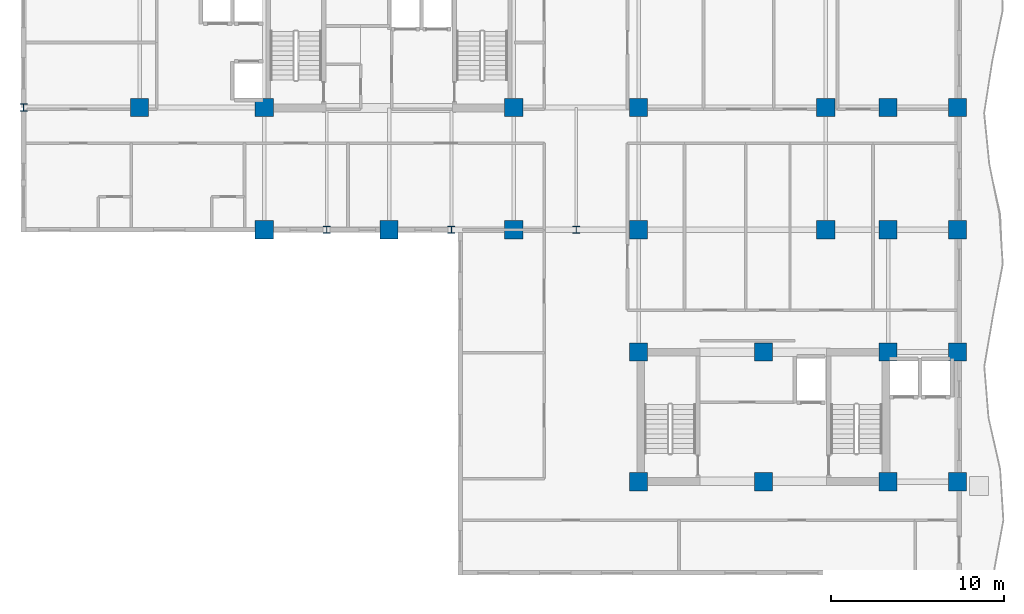
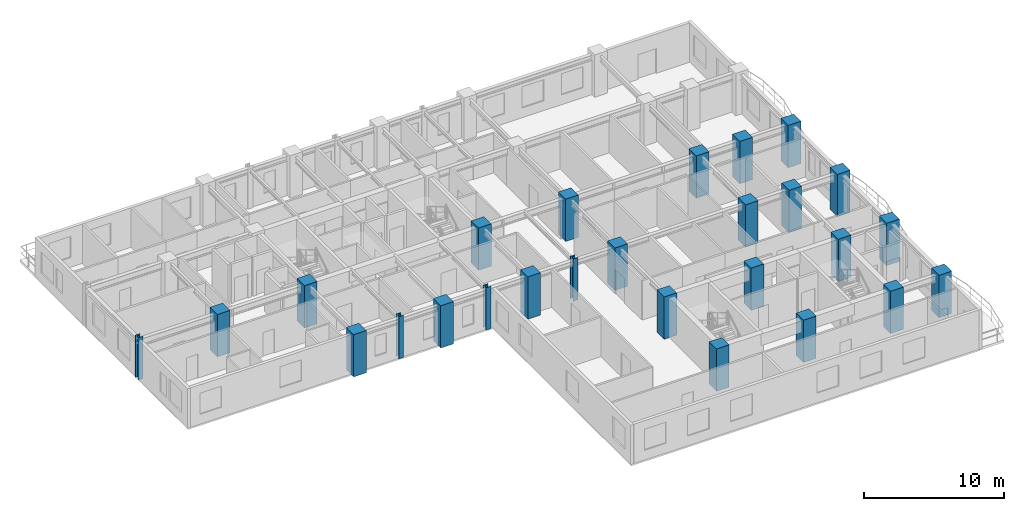
# One storey, part 1 of 12: 26 columns.
"""IFC4 building model written with IfcOpenShell, lengths in metres."""

from ifc_helpers import new_model, si_unit, direction, frame, origin, origin_2d, place, context, subcontext, project, spatial, rectangle, i_section, extrude, source, transform, mapped, material, material_profile, profile_set, type_object, element, save


model = new_model("IFC4")

# Units and contexts
model_context = context("Model", 3, precision=1e-05, world=origin(), true_north=direction((0.0, 1.0)))
body_context = subcontext(model_context, "Body", "Model", "MODEL_VIEW")
ifc_project = project(units=[si_unit("LENGTHUNIT", "METRE"), si_unit("AREAUNIT", "SQUARE_METRE"), si_unit("VOLUMEUNIT", "CUBIC_METRE"), si_unit("PLANEANGLEUNIT", "RADIAN"), si_unit("MASSUNIT", "GRAM", prefix="KILO")], contexts=[model_context])

# Site, building, storey
site_placement = place(None, origin())
site = spatial("IfcSite", under=ifc_project, at=site_placement, CompositionType="ELEMENT")
building_placement = place(site_placement, origin())
building = spatial("IfcBuilding", under=site, at=building_placement, Name="Kaliganga Portal Commons", CompositionType="ELEMENT")
storey_placement = place(building_placement, frame((0.0, 0.0, 147.60009765625)))
storey = spatial("IfcBuildingStorey", under=building, at=storey_placement, Name="L37", CompositionType="ELEMENT", Elevation=147.60009765625)

# Columns
ifc_material_1 = material(Name="Concrete C60/75", Category="concrete")
ifc_material_profile_1 = material_profile(ifc_material_1, rectangle(XDim=1.050048828125, YDim=1.050048828125, at=origin_2d()), Name="RC 1050x1050")
ifc_profile_set_1 = profile_set([ifc_material_profile_1], Name="Concrete C60/75")
column_type_1 = type_object("IfcColumnType", Name="COL-MEGA-Z3", PredefinedType="COLUMN", material=ifc_profile_set_1)
shared_shape_1 = source(origin(), body_context, "Body", "SweptSolid", [
    extrude(rectangle(XDim=1.050048828125, YDim=1.050048828125, at=origin_2d()), origin(), (0.0, 0.0, 1.0), 3.699951171875),
])
for number, where, z_axis, x_axis, name in (
    (1, (7.199951171875, 28.64990234375, 0.0), (0.0, 0.0, 1.0), (1.0, 0.0, 0.0), "Column MC-04 L37"),
    (2, (14.39990234375, 21.60009765625, 0.0), (0.0, 0.0, 1.0), (1.0, 0.0, 0.0), "Column MC-04 L37"),
    (3, (14.39990234375, 28.64990234375, 0.0), (0.0, 0.0, 1.0), (1.0, 0.0, 0.0), "Column MC-04 L37"),
    (4, (21.60009765625, 21.60009765625, 0.0), (0.0, 0.0, 1.0), (1.0, 0.0, 0.0), "Column MC-04 L37"),
    (5, (28.800048828125, 21.60009765625, 0.0), (0.0, 0.0, 1.0), (1.0, 0.0, 0.0), "Column MC-04 L37"),
    (6, (28.800048828125, 28.64990234375, 0.0), (0.0, 0.0, 1.0), (1.0, 0.0, 0.0), "Column MC-04 L37"),
    (7, (36.0, 21.60009765625, 0.0), (0.0, 0.0, 1.0), (1.0, 0.0, 0.0), "Column MC-04 L37"),
    (8, (36.0, 28.64990234375, 0.0), (0.0, 0.0, 1.0), (1.0, 0.0, 0.0), "Column MC-04 L37"),
    (9, (46.800048828125, 21.60009765625, 0.0), (0.0, 0.0, 1.0), (1.0, 0.0, 0.0), "Column MC-04 L37"),
    (10, (46.800048828125, 28.64990234375, 0.0), (0.0, 0.0, 1.0), (1.0, 0.0, 0.0), "Column MC-04 L37"),
    (11, (36.0, 7.050048828125, 0.0), (0.0, 0.0, 1.0), (1.0, 0.0, 0.0), "Column MC-04 L37"),
    (12, (36.0, 14.550048828125, 0.0), (0.0, 0.0, 1.0), (1.0, 0.0, 0.0), "Column MC-04 L37"),
    (13, (43.199951171875, 7.050048828125, 0.0), (0.0, 0.0, 1.0), (1.0, 0.0, 0.0), "Column MC-04 L37"),
    (14, (43.199951171875, 14.550048828125, 0.0), (0.0, 0.0, 1.0), (1.0, 0.0, 0.0), "Column MC-04 L37"),
    (15, (50.39990234375, 7.050048828125, 0.0), (0.0, 0.0, 1.0), (1.0, 0.0, 0.0), "Column MC-04 L37"),
    (16, (50.39990234375, 14.550048828125, 0.0), (0.0, 0.0, 1.0), (1.0, 0.0, 0.0), "Column MC-04 L37"),
    (17, (50.39990234375, 21.60009765625, 0.0), (0.0, 0.0, 1.0), (1.0, 0.0, 0.0), "Column MC-04 L37"),
    (18, (50.39990234375, 28.64990234375, 0.0), (0.0, 0.0, 1.0), (1.0, 0.0, 0.0), "Column MC-04 L37"),
    (19, (54.39990234375, 7.050048828125, 0.0), (0.0, 0.0, 1.0), (1.0, 0.0, 0.0), "Column MC-04 L37"),
    (20, (54.39990234375, 14.550048828125, 0.0), (0.0, 0.0, 1.0), (1.0, 0.0, 0.0), "Column MC-04 L37"),
    (21, (54.39990234375, 21.60009765625, 0.0), (0.0, 0.0, 1.0), (1.0, 0.0, 0.0), "Column MC-04 L37"),
    (22, (54.39990234375, 28.64990234375, 0.0), (0.0, 0.0, 1.0), (1.0, 0.0, 0.0), "Column MC-04 L37"),
):
    element("IfcColumn", number, at=place(storey_placement, frame(where, z_axis=z_axis, x_axis=x_axis)), inside=storey, type_object=column_type_1, Name=name, PredefinedType="COLUMN", context=body_context, shape_type="MappedRepresentation", body=[
        mapped(shared_shape_1, transform((0.0, 0.0, 0.0), x_axis=(1.0, 0.0, 0.0), y_axis=(0.0, 1.0, 0.0), z_axis=(0.0, 0.0, 1.0), scale=1.0)),
    ])
ifc_material_2 = material(Name="Structural steel S460M", Category="steel")
ifc_material_profile_2 = material_profile(ifc_material_2, i_section(OverallWidth=0.404052734375, OverallDepth=0.4140625, WebThickness=0.0205078125, FlangeThickness=0.028076171875, FilletRadius=0.014892578125, at=origin_2d()), Name="HD 400x347")
ifc_profile_set_2 = profile_set([ifc_material_profile_2], Name="Structural steel S460M wide-flange")
column_type_2 = type_object("IfcColumnType", Name="COL-TUBE-B3", PredefinedType="COLUMN", material=ifc_profile_set_2)
shared_shape_2 = source(origin(), body_context, "Body", "SweptSolid", [
    extrude(i_section(OverallWidth=0.404052734375, OverallDepth=0.4140625, WebThickness=0.0205078125, FlangeThickness=0.028076171875, FilletRadius=0.014892578125, at=origin_2d()), origin(), (0.0, 0.0, 1.0), 3.699951171875),
])
for number, where, z_axis, x_axis, name in (
    (23, (0.5, 28.64990234375, 0.0), (0.0, 0.0, 1.0), (1.0, 0.0, 0.0), "Column TC-03 L37"),
    (24, (18.0, 21.60009765625, 0.0), (0.0, 0.0, 1.0), (1.0, 0.0, 0.0), "Column TC-03 L37"),
    (25, (25.199951171875, 21.60009765625, 0.0), (0.0, 0.0, 1.0), (1.0, 0.0, 0.0), "Column TC-03 L37"),
    (26, (32.39990234375, 21.60009765625, 0.0), (0.0, 0.0, 1.0), (1.0, 0.0, 0.0), "Column TC-03 L37"),
):
    element("IfcColumn", number, at=place(storey_placement, frame(where, z_axis=z_axis, x_axis=x_axis)), inside=storey, type_object=column_type_2, Name=name, PredefinedType="COLUMN", context=body_context, shape_type="MappedRepresentation", body=[
        mapped(shared_shape_2, transform((0.0, 0.0, 0.0), x_axis=(1.0, 0.0, 0.0), y_axis=(0.0, 1.0, 0.0), z_axis=(0.0, 0.0, 1.0), scale=1.0)),
    ])

save(model, "model.ifc")
